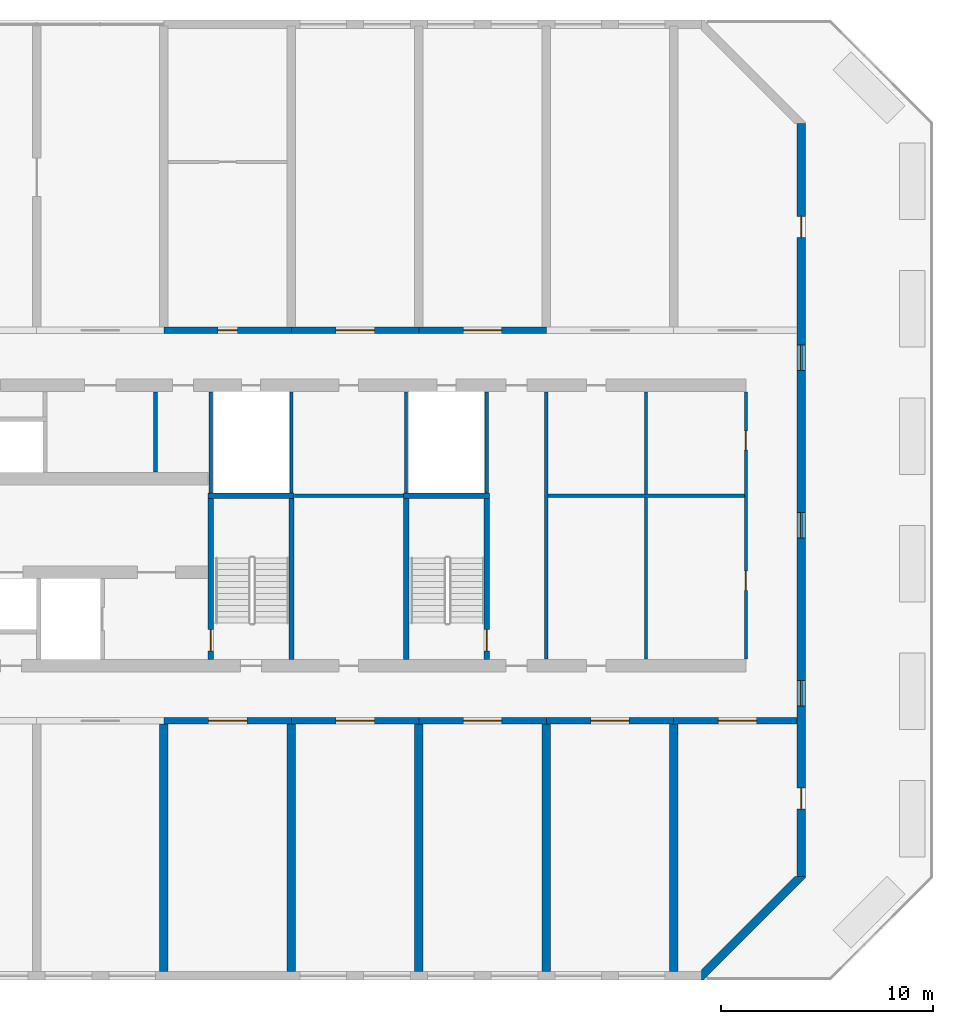
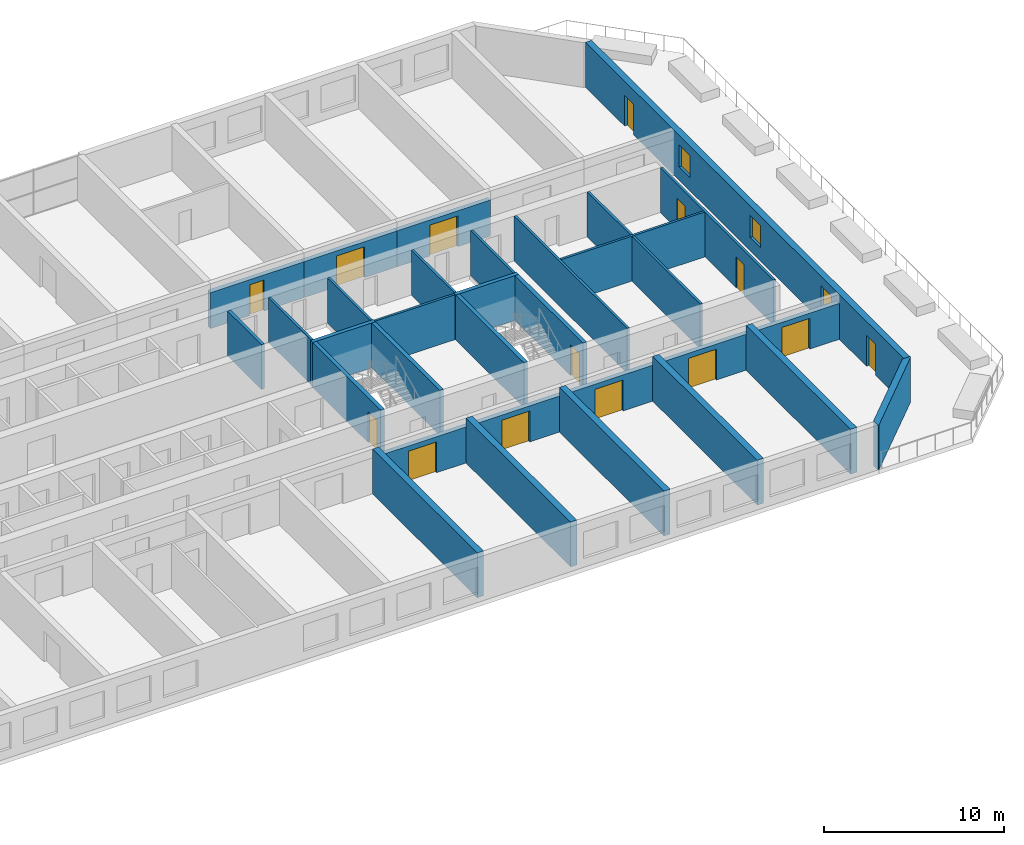
# One storey, part 15 of 21: 31 walls, 14 doors, 3 windows, 17 openings.
"""IFC4 building model written with IfcOpenShell, lengths in metres."""

from ifc_helpers import new_model, si_unit, direction, frame, frame_2d, origin, place, context, subcontext, project, spatial, polyline, rectangle, outline, extrude, material, layer, layer_set, type_object, element, fill, save


model = new_model("IFC4")

# Units and contexts
model_context = context("Model", 3, precision=1e-05, world=origin(), true_north=direction((0.0, 1.0)))
body_context = subcontext(model_context, "Body", "Model", "MODEL_VIEW")
ifc_project = project(units=[si_unit("LENGTHUNIT", "METRE"), si_unit("AREAUNIT", "SQUARE_METRE"), si_unit("VOLUMEUNIT", "CUBIC_METRE"), si_unit("PLANEANGLEUNIT", "RADIAN"), si_unit("MASSUNIT", "GRAM", prefix="KILO")], contexts=[model_context])

# Site, building, storey
site_placement = place(None, origin())
site = spatial("IfcSite", under=ifc_project, at=site_placement, CompositionType="ELEMENT")
building_placement = place(site_placement, origin())
building = spatial("IfcBuilding", under=site, at=building_placement, Name="Poui Terraces", CompositionType="ELEMENT")
storey_placement = place(building_placement, frame((0.0, 0.0, 53.10009765625)))
storey = spatial("IfcBuildingStorey", under=building, at=storey_placement, Name="L14", CompositionType="ELEMENT", Elevation=53.10009765625)

# Wall
ifc_material_1 = material(Name="Fire-rated plasterboard wall")
ifc_layer_1 = layer(ifc_material_1, 0.14990234375)
ifc_layer_set_1 = layer_set([ifc_layer_1], Name="Fire-rated plasterboard wall")
wall_type_1 = type_object("IfcWallType", Name="CORRIDOR WALL 150", PredefinedType="PARTITIONING", material=ifc_layer_set_1)
wall_1_placement = place(storey_placement, frame((84.0, 14.909912109375, 0.0), z_axis=(0.0, 0.0, 1.0), x_axis=(0.0, 1.0, 0.0)))
element("IfcWall", 1, at=wall_1_placement, inside=storey, type_object=wall_type_1, Name="CORRIDOR WALL 150", PredefinedType="PARTITIONING", context=body_context, shape_type="SweptSolid", body=[
    extrude(rectangle(XDim=12.580078125, YDim=0.14990234375, at=frame_2d((6.2900390625, 0.0))), origin(), (0.0, 0.0, 1.0), 3.0498046875),
])

# Wall, openings, doors
wall_2_placement = place(storey_placement, frame((93.39990234375, 14.909912109375, 0.0), z_axis=(0.0, 0.0, 1.0), x_axis=(0.0, 1.0, 0.0)))
wall_2 = element("IfcWall", 2, at=wall_2_placement, inside=storey, type_object=wall_type_1, Name="CORRIDOR WALL 150", PredefinedType="PARTITIONING", context=body_context, shape_type="SweptSolid", body=[
    extrude(rectangle(XDim=12.580078125, YDim=0.14990234375, at=frame_2d((6.2900390625, 0.0))), origin(), (0.0, 0.0, 1.0), 3.0498046875),
])
opening_1_placement = place(wall_2_placement, frame((3.239990234375, 0.0, 0.0)))
opening_1 = element("IfcOpeningElement", 3, at=opening_1_placement, cuts=wall_2, Name="Opening D90", PredefinedType="OPENING", context=body_context, shape_type="SweptSolid", body=[
    extrude(rectangle(XDim=0.89990234375, YDim=2.10009765625, at=frame_2d((0.449951171875, 1.050048828125))), frame((0.0, 0.0849609375, 0.0), z_axis=(0.0, -1.0, 0.0), x_axis=(1.0, 0.0, 0.0)), (0.0, 0.0, 1.0), 0.169921875),
])
opening_2_placement = place(wall_2_placement, frame((9.840087890625, 0.0, 0.0)))
opening_2 = element("IfcOpeningElement", 4, at=opening_2_placement, cuts=wall_2, Name="Opening D90", PredefinedType="OPENING", context=body_context, shape_type="SweptSolid", body=[
    extrude(rectangle(XDim=0.89990234375, YDim=2.10009765625, at=frame_2d((0.449951171875, 1.050048828125))), frame((0.0, 0.0849609375, 0.0), z_axis=(0.0, -1.0, 0.0), x_axis=(1.0, 0.0, 0.0)), (0.0, 0.0, 1.0), 0.169921875),
])
ifc_material_2 = material(Name="Solid core timber door", Category="wood")
door_type_1 = type_object("IfcDoorType", Name="INTERNAL DOOR 900 X 2100", OperationType="NOTDEFINED", PredefinedType="DOOR", material=ifc_material_2)
door_1_placement = place(opening_1_placement, frame((0.89990234375, 0.0, 0.0), z_axis=(0.0, 0.0, 1.0), x_axis=(-1.0, 0.0, 0.0)))
door_1 = element("IfcDoor", 5, at=door_1_placement, inside=storey, type_object=door_type_1, Name="INTERNAL DOOR 001", OperationType="SINGLE_SWING_RIGHT", OverallHeight=2.10009765625, OverallWidth=0.89990234375, PredefinedType="DOOR", context=body_context, shape_type="SweptSolid", body=[
    extrude(rectangle(XDim=0.89990234375, YDim=2.10009765625, at=frame_2d((0.449951171875, 1.050048828125))), frame((0.0, 0.02490234375, 0.0), z_axis=(0.0, -1.0, 0.0), x_axis=(1.0, 0.0, 0.0)), (0.0, 0.0, 1.0), 0.050048828125),
])
fill(opening_1, door_1)
door_2_placement = place(opening_2_placement, frame((0.89990234375, 0.0, 0.0), z_axis=(0.0, 0.0, 1.0), x_axis=(-1.0, 0.0, 0.0)))
door_2 = element("IfcDoor", 6, at=door_2_placement, inside=storey, type_object=door_type_1, Name="INTERNAL DOOR 002", OperationType="SINGLE_SWING_RIGHT", OverallHeight=2.10009765625, OverallWidth=0.89990234375, PredefinedType="DOOR", context=body_context, shape_type="SweptSolid", body=[
    extrude(rectangle(XDim=0.89990234375, YDim=2.10009765625, at=frame_2d((0.449951171875, 1.050048828125))), frame((0.0, 0.02490234375, 0.0), z_axis=(0.0, -1.0, 0.0), x_axis=(1.0, 0.0, 0.0)), (0.0, 0.0, 1.0), 0.050048828125),
])
fill(opening_2, door_2)

# Wall, opening, door
ifc_material_3 = material(Name="Concrete 80 MPa", Category="concrete")
ifc_layer_2 = layer(ifc_material_3, 0.300048828125)
ifc_layer_set_2 = layer_set([ifc_layer_2], Name="Concrete 80 MPa")
wall_type_2 = type_object("IfcWallType", Name="CORRIDOR WALL 300 80MPa", PredefinedType="SHEAR", material=ifc_layer_set_2)
wall_3_placement = place(storey_placement, frame((66.0, 12.0, 0.0), z_axis=(0.0, 0.0, 1.0), x_axis=(1.0, 0.0, 0.0)))
wall_3 = element("IfcWall", 7, at=wall_3_placement, inside=storey, type_object=wall_type_2, Name="CORRIDOR WALL LINE B BAY 11", PredefinedType="SHEAR", context=body_context, shape_type="SweptSolid", body=[
    extrude(rectangle(XDim=6.0, YDim=0.300048828125, at=frame_2d((3.0, 0.0))), origin(), (0.0, 0.0, 1.0), 2.449951171875),
])
opening_3_placement = place(wall_3_placement, frame((2.10009765625, 0.0, 0.0)))
opening_3 = element("IfcOpeningElement", 8, at=opening_3_placement, cuts=wall_3, Name="Opening DD180", PredefinedType="OPENING", context=body_context, shape_type="SweptSolid", body=[
    extrude(rectangle(XDim=1.800048828125, YDim=2.10009765625, at=frame_2d((0.89990234375, 1.050048828125))), frame((0.0, 0.16015625, 0.0), z_axis=(0.0, -1.0, 0.0), x_axis=(1.0, 0.0, 0.0)), (0.0, 0.0, 1.0), 0.320068359375),
])
ifc_material_4 = material(Name="Steel fire door", Category="steel")
door_type_2 = type_object("IfcDoorType", Name="DOUBLE INTERNAL DOOR 1800 X 2100", OperationType="DOUBLE_DOOR_SINGLE_SWING", PredefinedType="DOOR", material=ifc_material_4)
door_3_placement = place(opening_3_placement, origin())
door_3 = element("IfcDoor", 9, at=door_3_placement, inside=storey, type_object=door_type_2, Name="DOUBLE INTERNAL DOOR 055", OperationType="DOUBLE_DOOR_SINGLE_SWING", OverallHeight=2.10009765625, OverallWidth=1.800048828125, PredefinedType="DOOR", context=body_context, shape_type="SweptSolid", body=[
    extrude(rectangle(XDim=1.800048828125, YDim=2.10009765625, at=frame_2d((0.89990234375, 1.050048828125))), frame((0.0, 0.02490234375, 0.0), z_axis=(0.0, -1.0, 0.0), x_axis=(1.0, 0.0, 0.0)), (0.0, 0.0, 1.0), 0.050048828125),
])
fill(opening_3, door_3)

wall_4_placement = place(storey_placement, frame((72.0, 12.0, 0.0), z_axis=(0.0, 0.0, 1.0), x_axis=(1.0, 0.0, 0.0)))
wall_4 = element("IfcWall", 10, at=wall_4_placement, inside=storey, type_object=wall_type_2, Name="CORRIDOR WALL LINE B BAY 12", PredefinedType="SHEAR", context=body_context, shape_type="SweptSolid", body=[
    extrude(rectangle(XDim=6.0, YDim=0.300048828125, at=frame_2d((3.0, 0.0))), origin(), (0.0, 0.0, 1.0), 2.449951171875),
])
opening_4_placement = place(wall_4_placement, frame((2.10009765625, 0.0, 0.0)))
opening_4 = element("IfcOpeningElement", 11, at=opening_4_placement, cuts=wall_4, Name="Opening DD180", PredefinedType="OPENING", context=body_context, shape_type="SweptSolid", body=[
    extrude(rectangle(XDim=1.800048828125, YDim=2.10009765625, at=frame_2d((0.89990234375, 1.050048828125))), frame((0.0, 0.16015625, 0.0), z_axis=(0.0, -1.0, 0.0), x_axis=(1.0, 0.0, 0.0)), (0.0, 0.0, 1.0), 0.320068359375),
])
door_4_placement = place(opening_4_placement, origin())
door_4 = element("IfcDoor", 12, at=door_4_placement, inside=storey, type_object=door_type_2, Name="DOUBLE INTERNAL DOOR 058", OperationType="DOUBLE_DOOR_SINGLE_SWING", OverallHeight=2.10009765625, OverallWidth=1.800048828125, PredefinedType="DOOR", context=body_context, shape_type="SweptSolid", body=[
    extrude(rectangle(XDim=1.800048828125, YDim=2.10009765625, at=frame_2d((0.89990234375, 1.050048828125))), frame((0.0, 0.02490234375, 0.0), z_axis=(0.0, -1.0, 0.0), x_axis=(1.0, 0.0, 0.0)), (0.0, 0.0, 1.0), 0.050048828125),
])
fill(opening_4, door_4)

wall_5_placement = place(storey_placement, frame((78.0, 12.0, 0.0), z_axis=(0.0, 0.0, 1.0), x_axis=(1.0, 0.0, 0.0)))
wall_5 = element("IfcWall", 13, at=wall_5_placement, inside=storey, type_object=wall_type_2, Name="CORRIDOR WALL LINE B BAY 13", PredefinedType="SHEAR", context=body_context, shape_type="SweptSolid", body=[
    extrude(rectangle(XDim=6.0, YDim=0.300048828125, at=frame_2d((3.0, 0.0))), origin(), (0.0, 0.0, 1.0), 2.449951171875),
])
opening_5_placement = place(wall_5_placement, frame((2.10009765625, 0.0, 0.0)))
opening_5 = element("IfcOpeningElement", 14, at=opening_5_placement, cuts=wall_5, Name="Opening DD180", PredefinedType="OPENING", context=body_context, shape_type="SweptSolid", body=[
    extrude(rectangle(XDim=1.800048828125, YDim=2.10009765625, at=frame_2d((0.89990234375, 1.050048828125))), frame((0.0, 0.16015625, 0.0), z_axis=(0.0, -1.0, 0.0), x_axis=(1.0, 0.0, 0.0)), (0.0, 0.0, 1.0), 0.320068359375),
])
door_5_placement = place(opening_5_placement, origin())
door_5 = element("IfcDoor", 15, at=door_5_placement, inside=storey, type_object=door_type_2, Name="DOUBLE INTERNAL DOOR 059", OperationType="DOUBLE_DOOR_SINGLE_SWING", OverallHeight=2.10009765625, OverallWidth=1.800048828125, PredefinedType="DOOR", context=body_context, shape_type="SweptSolid", body=[
    extrude(rectangle(XDim=1.800048828125, YDim=2.10009765625, at=frame_2d((0.89990234375, 1.050048828125))), frame((0.0, 0.02490234375, 0.0), z_axis=(0.0, -1.0, 0.0), x_axis=(1.0, 0.0, 0.0)), (0.0, 0.0, 1.0), 0.050048828125),
])
fill(opening_5, door_5)

wall_6_placement = place(storey_placement, frame((84.0, 12.0, 0.0), z_axis=(0.0, 0.0, 1.0), x_axis=(1.0, 0.0, 0.0)))
wall_6 = element("IfcWall", 16, at=wall_6_placement, inside=storey, type_object=wall_type_2, Name="CORRIDOR WALL LINE B BAY 14", PredefinedType="SHEAR", context=body_context, shape_type="SweptSolid", body=[
    extrude(rectangle(XDim=6.0, YDim=0.300048828125, at=frame_2d((3.0, 0.0))), origin(), (0.0, 0.0, 1.0), 2.449951171875),
])
opening_6_placement = place(wall_6_placement, frame((2.10009765625, 0.0, 0.0)))
opening_6 = element("IfcOpeningElement", 17, at=opening_6_placement, cuts=wall_6, Name="Opening DD180", PredefinedType="OPENING", context=body_context, shape_type="SweptSolid", body=[
    extrude(rectangle(XDim=1.800048828125, YDim=2.10009765625, at=frame_2d((0.89990234375, 1.050048828125))), frame((0.0, 0.16015625, 0.0), z_axis=(0.0, -1.0, 0.0), x_axis=(1.0, 0.0, 0.0)), (0.0, 0.0, 1.0), 0.320068359375),
])
door_6_placement = place(opening_6_placement, origin())
door_6 = element("IfcDoor", 18, at=door_6_placement, inside=storey, type_object=door_type_2, Name="DOUBLE INTERNAL DOOR 062", OperationType="DOUBLE_DOOR_SINGLE_SWING", OverallHeight=2.10009765625, OverallWidth=1.800048828125, PredefinedType="DOOR", context=body_context, shape_type="SweptSolid", body=[
    extrude(rectangle(XDim=1.800048828125, YDim=2.10009765625, at=frame_2d((0.89990234375, 1.050048828125))), frame((0.0, 0.02490234375, 0.0), z_axis=(0.0, -1.0, 0.0), x_axis=(1.0, 0.0, 0.0)), (0.0, 0.0, 1.0), 0.050048828125),
])
fill(opening_6, door_6)

wall_7_placement = place(storey_placement, frame((90.0, 12.0, 0.0), z_axis=(0.0, 0.0, 1.0), x_axis=(1.0, 0.0, 0.0)))
wall_7 = element("IfcWall", 19, at=wall_7_placement, inside=storey, type_object=wall_type_2, Name="CORRIDOR WALL LINE B BAY 15", PredefinedType="SHEAR", context=body_context, shape_type="SweptSolid", body=[
    extrude(rectangle(XDim=5.800048828125, YDim=0.300048828125, at=frame_2d((2.89990234375, 0.0))), origin(), (0.0, 0.0, 1.0), 2.449951171875),
])
opening_7_placement = place(wall_7_placement, frame((2.10009765625, 0.0, 0.0)))
opening_7 = element("IfcOpeningElement", 20, at=opening_7_placement, cuts=wall_7, Name="Opening DD180", PredefinedType="OPENING", context=body_context, shape_type="SweptSolid", body=[
    extrude(rectangle(XDim=1.800048828125, YDim=2.10009765625, at=frame_2d((0.89990234375, 1.050048828125))), frame((0.0, 0.16015625, 0.0), z_axis=(0.0, -1.0, 0.0), x_axis=(1.0, 0.0, 0.0)), (0.0, 0.0, 1.0), 0.320068359375),
])
door_7_placement = place(opening_7_placement, origin())
door_7 = element("IfcDoor", 21, at=door_7_placement, inside=storey, type_object=door_type_2, Name="DOUBLE INTERNAL DOOR 063", OperationType="DOUBLE_DOOR_SINGLE_SWING", OverallHeight=2.10009765625, OverallWidth=1.800048828125, PredefinedType="DOOR", context=body_context, shape_type="SweptSolid", body=[
    extrude(rectangle(XDim=1.800048828125, YDim=2.10009765625, at=frame_2d((0.89990234375, 1.050048828125))), frame((0.0, 0.02490234375, 0.0), z_axis=(0.0, -1.0, 0.0), x_axis=(1.0, 0.0, 0.0)), (0.0, 0.0, 1.0), 0.050048828125),
])
fill(opening_7, door_7)

wall_8_placement = place(storey_placement, frame((66.0, 30.39990234375, 0.0), z_axis=(0.0, 0.0, 1.0), x_axis=(1.0, 0.0, 0.0)))
wall_8 = element("IfcWall", 22, at=wall_8_placement, inside=storey, type_object=wall_type_2, Name="CORRIDOR WALL LINE E BAY 11", PredefinedType="SHEAR", context=body_context, shape_type="SweptSolid", body=[
    extrude(rectangle(XDim=6.0, YDim=0.300048828125, at=frame_2d((3.0, 0.0))), origin(), (0.0, 0.0, 1.0), 2.449951171875),
])
opening_8_placement = place(wall_8_placement, frame((2.550048828125, 0.0, 0.0)))
opening_8 = element("IfcOpeningElement", 23, at=opening_8_placement, cuts=wall_8, Name="Opening D90", PredefinedType="OPENING", context=body_context, shape_type="SweptSolid", body=[
    extrude(rectangle(XDim=0.89990234375, YDim=2.10009765625, at=frame_2d((0.449951171875, 1.050048828125))), frame((0.0, 0.16015625, 0.0), z_axis=(0.0, -1.0, 0.0), x_axis=(1.0, 0.0, 0.0)), (0.0, 0.0, 1.0), 0.320068359375),
])
door_8_placement = place(opening_8_placement, frame((0.89990234375, 0.0, 0.0), z_axis=(0.0, 0.0, 1.0), x_axis=(-1.0, 0.0, 0.0)))
door_8 = element("IfcDoor", 24, at=door_8_placement, inside=storey, type_object=door_type_1, Name="INTERNAL DOOR 026", OperationType="SINGLE_SWING_RIGHT", OverallHeight=2.10009765625, OverallWidth=0.89990234375, PredefinedType="DOOR", context=body_context, shape_type="SweptSolid", body=[
    extrude(rectangle(XDim=0.89990234375, YDim=2.10009765625, at=frame_2d((0.449951171875, 1.050048828125))), frame((0.0, 0.02490234375, 0.0), z_axis=(0.0, -1.0, 0.0), x_axis=(1.0, 0.0, 0.0)), (0.0, 0.0, 1.0), 0.050048828125),
])
fill(opening_8, door_8)

wall_9_placement = place(storey_placement, frame((72.0, 30.39990234375, 0.0), z_axis=(0.0, 0.0, 1.0), x_axis=(1.0, 0.0, 0.0)))
wall_9 = element("IfcWall", 25, at=wall_9_placement, inside=storey, type_object=wall_type_2, Name="CORRIDOR WALL LINE E BAY 12", PredefinedType="SHEAR", context=body_context, shape_type="SweptSolid", body=[
    extrude(rectangle(XDim=6.0, YDim=0.300048828125, at=frame_2d((3.0, 0.0))), origin(), (0.0, 0.0, 1.0), 2.449951171875),
])
opening_9_placement = place(wall_9_placement, frame((2.10009765625, 0.0, 0.0)))
opening_9 = element("IfcOpeningElement", 26, at=opening_9_placement, cuts=wall_9, Name="Opening DD180", PredefinedType="OPENING", context=body_context, shape_type="SweptSolid", body=[
    extrude(rectangle(XDim=1.800048828125, YDim=2.10009765625, at=frame_2d((0.89990234375, 1.050048828125))), frame((0.0, 0.16015625, 0.0), z_axis=(0.0, -1.0, 0.0), x_axis=(1.0, 0.0, 0.0)), (0.0, 0.0, 1.0), 0.320068359375),
])
door_9_placement = place(opening_9_placement, frame((1.800048828125, 0.0, 0.0), z_axis=(0.0, 0.0, 1.0), x_axis=(-1.0, 0.0, 0.0)))
door_9 = element("IfcDoor", 27, at=door_9_placement, inside=storey, type_object=door_type_2, Name="DOUBLE INTERNAL DOOR 029", OperationType="DOUBLE_DOOR_SINGLE_SWING", OverallHeight=2.10009765625, OverallWidth=1.800048828125, PredefinedType="DOOR", context=body_context, shape_type="SweptSolid", body=[
    extrude(rectangle(XDim=1.800048828125, YDim=2.10009765625, at=frame_2d((0.89990234375, 1.050048828125))), frame((0.0, 0.02490234375, 0.0), z_axis=(0.0, -1.0, 0.0), x_axis=(1.0, 0.0, 0.0)), (0.0, 0.0, 1.0), 0.050048828125),
])
fill(opening_9, door_9)

wall_10_placement = place(storey_placement, frame((78.0, 30.39990234375, 0.0), z_axis=(0.0, 0.0, 1.0), x_axis=(1.0, 0.0, 0.0)))
wall_10 = element("IfcWall", 28, at=wall_10_placement, inside=storey, type_object=wall_type_2, Name="CORRIDOR WALL LINE E BAY 13", PredefinedType="SHEAR", context=body_context, shape_type="SweptSolid", body=[
    extrude(rectangle(XDim=6.0, YDim=0.300048828125, at=frame_2d((3.0, 0.0))), origin(), (0.0, 0.0, 1.0), 2.449951171875),
])
opening_10_placement = place(wall_10_placement, frame((2.10009765625, 0.0, 0.0)))
opening_10 = element("IfcOpeningElement", 29, at=opening_10_placement, cuts=wall_10, Name="Opening DD180", PredefinedType="OPENING", context=body_context, shape_type="SweptSolid", body=[
    extrude(rectangle(XDim=1.800048828125, YDim=2.10009765625, at=frame_2d((0.89990234375, 1.050048828125))), frame((0.0, 0.16015625, 0.0), z_axis=(0.0, -1.0, 0.0), x_axis=(1.0, 0.0, 0.0)), (0.0, 0.0, 1.0), 0.320068359375),
])
door_10_placement = place(opening_10_placement, frame((1.800048828125, 0.0, 0.0), z_axis=(0.0, 0.0, 1.0), x_axis=(-1.0, 0.0, 0.0)))
door_10 = element("IfcDoor", 30, at=door_10_placement, inside=storey, type_object=door_type_2, Name="DOUBLE INTERNAL DOOR 031", OperationType="DOUBLE_DOOR_SINGLE_SWING", OverallHeight=2.10009765625, OverallWidth=1.800048828125, PredefinedType="DOOR", context=body_context, shape_type="SweptSolid", body=[
    extrude(rectangle(XDim=1.800048828125, YDim=2.10009765625, at=frame_2d((0.89990234375, 1.050048828125))), frame((0.0, 0.02490234375, 0.0), z_axis=(0.0, -1.0, 0.0), x_axis=(1.0, 0.0, 0.0)), (0.0, 0.0, 1.0), 0.050048828125),
])
fill(opening_10, door_10)

# Walls
ifc_layer_3 = layer(ifc_material_3, 0.39990234375)
ifc_layer_set_3 = layer_set([ifc_layer_3], Name="Concrete 80 MPa")
wall_type_3 = type_object("IfcWallType", Name="CROSS WALL 400 80MPa", PredefinedType="SHEAR", material=ifc_layer_set_3)
for number, where, z_axis, x_axis, name in (
    (31, (66.0, 0.199951171875, 0.0), (0.0, 0.0, 1.0), (0.0, 1.0, 0.0), "CROSS WALL LINE 12 SOUTH"),
    (32, (72.0, 0.199951171875, 0.0), (0.0, 0.0, 1.0), (0.0, 1.0, 0.0), "CROSS WALL LINE 13 SOUTH"),
    (33, (78.0, 0.199951171875, 0.0), (0.0, 0.0, 1.0), (0.0, 1.0, 0.0), "CROSS WALL LINE 14 SOUTH"),
    (34, (84.0, 0.199951171875, 0.0), (0.0, 0.0, 1.0), (0.0, 1.0, 0.0), "CROSS WALL LINE 15 SOUTH"),
    (35, (90.0, 0.199951171875, 0.0), (0.0, 0.0, 1.0), (0.0, 1.0, 0.0), "CROSS WALL LINE 16 SOUTH"),
):
    element("IfcWall", number, at=place(storey_placement, frame(where, z_axis=z_axis, x_axis=x_axis)), inside=storey, type_object=wall_type_3, Name=name, PredefinedType="SHEAR", context=body_context, shape_type="SweptSolid", body=[
        extrude(rectangle(XDim=11.650146484375, YDim=0.39990234375, at=frame_2d((5.8251953125, 0.0))), origin(), (0.0, 0.0, 1.0), 3.0498046875),
    ])

# Wall, openings, doors, windows
ifc_layer_4 = layer(ifc_material_3, 0.39990234375)
ifc_layer_set_4 = layer_set([ifc_layer_4], Name="Concrete 80 MPa")
wall_type_4 = type_object("IfcWallType", Name="END WALL 400 80MPa", PredefinedType="SHEAR", material=ifc_layer_set_4)
wall_11_placement = place(storey_placement, frame((96.0, 4.682861328125, 0.0), z_axis=(0.0, 0.0, 1.0), x_axis=(0.0, 1.0, 0.0)))
wall_11 = element("IfcWall", 36, at=wall_11_placement, inside=storey, type_object=wall_type_4, Name="END WALL EAST", PredefinedType="SHEAR", context=body_context, shape_type="SweptSolid", body=[
    extrude(rectangle(XDim=35.434326171875, YDim=0.39990234375, at=frame_2d((17.71728515625, 0.0))), origin(), (0.0, 0.0, 1.0), 3.0498046875),
])
opening_11_placement = place(wall_11_placement, frame((15.917236328125, 0.0, 0.89990234375)))
opening_11 = element("IfcOpeningElement", 37, at=opening_11_placement, cuts=wall_11, Name="Opening W2", PredefinedType="OPENING", context=body_context, shape_type="SweptSolid", body=[
    extrude(rectangle(XDim=1.199951171875, YDim=1.5, at=frame_2d((0.60009765625, 0.75))), frame((0.0, 0.2099609375, 0.0), z_axis=(0.0, -1.0, 0.0), x_axis=(1.0, 0.0, 0.0)), (0.0, 0.0, 1.0), 0.419921875),
])
opening_12_placement = place(wall_11_placement, frame((23.817138671875, 0.0, 0.89990234375)))
opening_12 = element("IfcOpeningElement", 38, at=opening_12_placement, cuts=wall_11, Name="Opening W2", PredefinedType="OPENING", context=body_context, shape_type="SweptSolid", body=[
    extrude(rectangle(XDim=1.199951171875, YDim=1.5, at=frame_2d((0.60009765625, 0.75))), frame((0.0, 0.2099609375, 0.0), z_axis=(0.0, -1.0, 0.0), x_axis=(1.0, 0.0, 0.0)), (0.0, 0.0, 1.0), 0.419921875),
])
opening_13_placement = place(wall_11_placement, frame((8.01708984375, 0.0, 0.89990234375)))
opening_13 = element("IfcOpeningElement", 39, at=opening_13_placement, cuts=wall_11, Name="Opening W2", PredefinedType="OPENING", context=body_context, shape_type="SweptSolid", body=[
    extrude(rectangle(XDim=1.199951171875, YDim=1.5, at=frame_2d((0.60009765625, 0.75))), frame((0.0, 0.2099609375, 0.0), z_axis=(0.0, -1.0, 0.0), x_axis=(1.0, 0.0, 0.0)), (0.0, 0.0, 1.0), 0.419921875),
])
opening_14_placement = place(wall_11_placement, frame((30.07568359375, 0.0, 0.0)))
opening_14 = element("IfcOpeningElement", 40, at=opening_14_placement, cuts=wall_11, Name="Opening XD100", PredefinedType="OPENING", context=body_context, shape_type="SweptSolid", body=[
    extrude(rectangle(XDim=1.0, YDim=2.10009765625, at=frame_2d((0.5, 1.050048828125))), frame((0.0, 0.2099609375, 0.0), z_axis=(0.0, -1.0, 0.0), x_axis=(1.0, 0.0, 0.0)), (0.0, 0.0, 1.0), 0.419921875),
])
opening_15_placement = place(wall_11_placement, frame((3.15869140625, 0.0, 0.0)))
opening_15 = element("IfcOpeningElement", 41, at=opening_15_placement, cuts=wall_11, Name="Opening XD100", PredefinedType="OPENING", context=body_context, shape_type="SweptSolid", body=[
    extrude(rectangle(XDim=1.0, YDim=2.10009765625, at=frame_2d((0.5, 1.050048828125))), frame((0.0, 0.2099609375, 0.0), z_axis=(0.0, -1.0, 0.0), x_axis=(1.0, 0.0, 0.0)), (0.0, 0.0, 1.0), 0.419921875),
])
ifc_material_5 = material(Name="Aluminium glazed door", Category="aluminium")
door_type_3 = type_object("IfcDoorType", Name="EXTERNAL DOOR 1000 X 2100", OperationType="NOTDEFINED", PredefinedType="DOOR", material=ifc_material_5)
door_11_placement = place(opening_14_placement, frame((1.0, 0.0, 0.0), z_axis=(0.0, 0.0, 1.0), x_axis=(-1.0, 0.0, 0.0)))
door_11 = element("IfcDoor", 42, at=door_11_placement, inside=storey, type_object=door_type_3, Name="EXTERNAL DOOR 074", OperationType="SINGLE_SWING_LEFT", OverallHeight=2.10009765625, OverallWidth=1.0, PredefinedType="DOOR", context=body_context, shape_type="SweptSolid", body=[
    extrude(rectangle(XDim=1.0, YDim=2.10009765625, at=frame_2d((0.5, 1.050048828125))), frame((0.0, 0.02490234375, 0.0), z_axis=(0.0, -1.0, 0.0), x_axis=(1.0, 0.0, 0.0)), (0.0, 0.0, 1.0), 0.050048828125),
])
fill(opening_14, door_11)
door_12_placement = place(opening_15_placement, frame((1.0, 0.0, 0.0), z_axis=(0.0, 0.0, 1.0), x_axis=(-1.0, 0.0, 0.0)))
door_12 = element("IfcDoor", 43, at=door_12_placement, inside=storey, type_object=door_type_3, Name="EXTERNAL DOOR 080", OperationType="SINGLE_SWING_LEFT", OverallHeight=2.10009765625, OverallWidth=1.0, PredefinedType="DOOR", context=body_context, shape_type="SweptSolid", body=[
    extrude(rectangle(XDim=1.0, YDim=2.10009765625, at=frame_2d((0.5, 1.050048828125))), frame((0.0, 0.02490234375, 0.0), z_axis=(0.0, -1.0, 0.0), x_axis=(1.0, 0.0, 0.0)), (0.0, 0.0, 1.0), 0.050048828125),
])
fill(opening_15, door_12)
ifc_material_6 = material(Name="Clear glass in aluminium frame", Category="aluminium")
window_type = type_object("IfcWindowType", Name="WINDOW 1200X1500", PartitioningType="SINGLE_PANEL", PredefinedType="WINDOW", material=ifc_material_6)
window_1_placement = place(opening_11_placement, origin())
window_1 = element("IfcWindow", 44, at=window_1_placement, inside=storey, type_object=window_type, Name="W2 WINDOW", OverallHeight=1.5, OverallWidth=1.199951171875, PartitioningType="SINGLE_PANEL", PredefinedType="WINDOW", context=body_context, shape_type="SweptSolid", body=[
    extrude(rectangle(XDim=1.199951171875, YDim=1.5, at=frame_2d((0.60009765625, 0.75))), frame((0.0, 0.030029296875, 0.0), z_axis=(0.0, -1.0, 0.0), x_axis=(1.0, 0.0, 0.0)), (0.0, 0.0, 1.0), 0.06005859375),
])
fill(opening_11, window_1)
window_2_placement = place(opening_12_placement, origin())
window_2 = element("IfcWindow", 45, at=window_2_placement, inside=storey, type_object=window_type, Name="W2 WINDOW", OverallHeight=1.5, OverallWidth=1.199951171875, PartitioningType="SINGLE_PANEL", PredefinedType="WINDOW", context=body_context, shape_type="SweptSolid", body=[
    extrude(rectangle(XDim=1.199951171875, YDim=1.5, at=frame_2d((0.60009765625, 0.75))), frame((0.0, 0.030029296875, 0.0), z_axis=(0.0, -1.0, 0.0), x_axis=(1.0, 0.0, 0.0)), (0.0, 0.0, 1.0), 0.06005859375),
])
fill(opening_12, window_2)
window_3_placement = place(opening_13_placement, origin())
window_3 = element("IfcWindow", 46, at=window_3_placement, inside=storey, type_object=window_type, Name="W2 WINDOW", OverallHeight=1.5, OverallWidth=1.199951171875, PartitioningType="SINGLE_PANEL", PredefinedType="WINDOW", context=body_context, shape_type="SweptSolid", body=[
    extrude(rectangle(XDim=1.199951171875, YDim=1.5, at=frame_2d((0.60009765625, 0.75))), frame((0.0, 0.030029296875, 0.0), z_axis=(0.0, -1.0, 0.0), x_axis=(1.0, 0.0, 0.0)), (0.0, 0.0, 1.0), 0.06005859375),
])
fill(opening_13, window_3)

# Walls
ifc_material_7 = material(Name="Plasterboard partition")
ifc_layer_5 = layer(ifc_material_7, 0.14990234375)
ifc_layer_set_5 = layer_set([ifc_layer_5], Name="Plasterboard partition")
wall_type_5 = type_object("IfcWallType", Name="PARTITION WALL 150", PredefinedType="PARTITIONING", material=ifc_layer_set_5)
wall_12_placement = place(storey_placement, frame((72.135009765625, 22.60009765625, 0.0), z_axis=(0.0, 0.0, 1.0), x_axis=(1.0, 0.0, 0.0)))
element("IfcWall", 47, at=wall_12_placement, inside=storey, type_object=wall_type_5, Name="PARTITION WALL 150", PredefinedType="PARTITIONING", context=body_context, shape_type="SweptSolid", body=[
    extrude(rectangle(XDim=5.1298828125, YDim=0.14990234375, at=frame_2d((2.56494140625, 0.0))), origin(), (0.0, 0.0, 1.0), 3.0498046875),
])
wall_13_placement = place(storey_placement, frame((84.074951171875, 22.60009765625, 0.0), z_axis=(0.0, 0.0, 1.0), x_axis=(1.0, 0.0, 0.0)))
element("IfcWall", 48, at=wall_13_placement, inside=storey, type_object=wall_type_5, Name="PARTITION WALL 150", PredefinedType="PARTITIONING", context=body_context, shape_type="SweptSolid", body=[
    extrude(rectangle(XDim=9.25, YDim=0.14990234375, at=frame_2d((4.625, 0.0))), origin(), (0.0, 0.0, 1.0), 3.0498046875),
])
wall_14_placement = place(storey_placement, frame((88.699951171875, 14.909912109375, 0.0), z_axis=(0.0, 0.0, 1.0), x_axis=(0.0, 1.0, 0.0)))
element("IfcWall", 49, at=wall_14_placement, inside=storey, type_object=wall_type_5, Name="PARTITION WALL 150", PredefinedType="PARTITIONING", context=body_context, shape_type="SweptSolid", body=[
    extrude(rectangle(XDim=12.580078125, YDim=0.14990234375, at=frame_2d((6.2900390625, 0.0))), origin(), (0.0, 0.0, 1.0), 3.0498046875),
])
ifc_material_8 = material(Name="Fire-rated masonry wall", Category="masonry")
ifc_layer_6 = layer(ifc_material_8, 0.199951171875)
ifc_layer_set_6 = layer_set([ifc_layer_6], Name="Fire-rated masonry wall")
wall_type_6 = type_object("IfcWallType", Name="PLANT ROOM WALL 200", PredefinedType="PARTITIONING", material=ifc_layer_set_6)
wall_15_placement = place(storey_placement, frame((65.60009765625, 23.7099609375, 0.0), z_axis=(0.0, 0.0, 1.0), x_axis=(0.0, 1.0, 0.0)))
element("IfcWall", 50, at=wall_15_placement, inside=storey, type_object=wall_type_6, Name="PLANT ROOM WALL 200", PredefinedType="PARTITIONING", context=body_context, shape_type="SweptSolid", body=[
    extrude(rectangle(XDim=3.780029296875, YDim=0.199951171875, at=frame_2d((1.89013671875, 0.0))), origin(), (0.0, 0.0, 1.0), 3.0498046875),
])
ifc_material_9 = material(Name="Fire-rated plasterboard riser wall")
ifc_layer_7 = layer(ifc_material_9, 0.14990234375)
ifc_layer_set_7 = layer_set([ifc_layer_7], Name="Fire-rated plasterboard riser wall")
wall_type_7 = type_object("IfcWallType", Name="RISER WALL 150", PredefinedType="PARTITIONING", material=ifc_layer_set_7)
for number, where, z_axis, x_axis, name in (
    (51, (68.199951171875, 22.735107421875, 0.0), (0.0, 0.0, 1.0), (0.0, 1.0, 0.0), "RISER WALL 150"),
    (52, (72.0, 22.735107421875, 0.0), (0.0, 0.0, 1.0), (0.0, 1.0, 0.0), "RISER WALL 150"),
    (53, (77.39990234375, 22.735107421875, 0.0), (0.0, 0.0, 1.0), (0.0, 1.0, 0.0), "RISER WALL 150"),
    (54, (81.199951171875, 22.735107421875, 0.0), (0.0, 0.0, 1.0), (0.0, 1.0, 0.0), "RISER WALL 150"),
):
    element("IfcWall", number, at=place(storey_placement, frame(where, z_axis=z_axis, x_axis=x_axis)), inside=storey, type_object=wall_type_7, Name=name, PredefinedType="PARTITIONING", context=body_context, shape_type="SweptSolid", body=[
        extrude(rectangle(XDim=4.7548828125, YDim=0.14990234375, at=frame_2d((2.37744140625, 0.0))), origin(), (0.0, 0.0, 1.0), 3.0498046875),
    ])

# Wall, opening, door
ifc_layer_8 = layer(ifc_material_3, 0.25)
ifc_layer_set_8 = layer_set([ifc_layer_8], Name="Concrete 80 MPa")
wall_type_8 = type_object("IfcWallType", Name="STAIR CORE WALL 250 80 MPA", PredefinedType="SOLIDWALL", material=ifc_layer_set_8)
wall_16_placement = place(storey_placement, frame((68.199951171875, 14.89990234375, 0.0), z_axis=(0.0, 0.0, 1.0), x_axis=(0.0, 1.0, 0.0)))
wall_16 = element("IfcWall", 55, at=wall_16_placement, inside=storey, type_object=wall_type_8, Name="STAIR CORE WALL", PredefinedType="SOLIDWALL", context=body_context, shape_type="SweptSolid", body=[
    extrude(rectangle(XDim=7.5751953125, YDim=0.25, at=frame_2d((3.78759765625, 0.0))), origin(), (0.0, 0.0, 1.0), 3.0498046875),
])
opening_16_placement = place(wall_16_placement, frame((0.39990234375, 0.0, 0.0)))
opening_16 = element("IfcOpeningElement", 56, at=opening_16_placement, cuts=wall_16, Name="Opening FD60S", PredefinedType="OPENING", context=body_context, shape_type="SweptSolid", body=[
    extrude(rectangle(XDim=1.0, YDim=2.10009765625, at=frame_2d((0.5, 1.050048828125))), frame((0.0, 0.135009765625, 0.0), z_axis=(0.0, -1.0, 0.0), x_axis=(1.0, 0.0, 0.0)), (0.0, 0.0, 1.0), 0.27001953125),
])
door_type_4 = type_object("IfcDoorType", Name="STAIR DOOR 1000 X 2100", OperationType="NOTDEFINED", PredefinedType="DOOR", material=ifc_material_4)
door_13_placement = place(opening_16_placement, frame((1.0, 0.0, 0.0), z_axis=(0.0, 0.0, 1.0), x_axis=(-1.0, 0.0, 0.0)))
door_13 = element("IfcDoor", 57, at=door_13_placement, inside=storey, type_object=door_type_4, Name="STAIR DOOR 082", OperationType="SINGLE_SWING_LEFT", OverallHeight=2.10009765625, OverallWidth=1.0, PredefinedType="DOOR", context=body_context, shape_type="SweptSolid", body=[
    extrude(rectangle(XDim=1.0, YDim=2.10009765625, at=frame_2d((0.5, 1.050048828125))), frame((0.0, 0.02490234375, 0.0), z_axis=(0.0, -1.0, 0.0), x_axis=(1.0, 0.0, 0.0)), (0.0, 0.0, 1.0), 0.050048828125),
])
fill(opening_16, door_13)

# Walls
wall_17_placement = place(storey_placement, frame((72.0, 14.89990234375, 0.0), z_axis=(0.0, 0.0, 1.0), x_axis=(0.0, 1.0, 0.0)))
element("IfcWall", 58, at=wall_17_placement, inside=storey, type_object=wall_type_8, Name="STAIR CORE WALL", PredefinedType="SOLIDWALL", context=body_context, shape_type="SweptSolid", body=[
    extrude(rectangle(XDim=7.5751953125, YDim=0.25, at=frame_2d((3.78759765625, 0.0))), origin(), (0.0, 0.0, 1.0), 3.0498046875),
])
wall_18_placement = place(storey_placement, frame((68.074951171875, 22.60009765625, 0.0), z_axis=(0.0, 0.0, 1.0), x_axis=(1.0, 0.0, 0.0)))
element("IfcWall", 59, at=wall_18_placement, inside=storey, type_object=wall_type_8, Name="STAIR CORE WALL", PredefinedType="SOLIDWALL", context=body_context, shape_type="SweptSolid", body=[
    extrude(rectangle(XDim=4.050048828125, YDim=0.25, at=frame_2d((2.02490234375, 0.0))), origin(), (0.0, 0.0, 1.0), 3.0498046875),
])
wall_19_placement = place(storey_placement, frame((77.39990234375, 14.89990234375, 0.0), z_axis=(0.0, 0.0, 1.0), x_axis=(0.0, 1.0, 0.0)))
element("IfcWall", 60, at=wall_19_placement, inside=storey, type_object=wall_type_8, Name="STAIR CORE WALL", PredefinedType="SOLIDWALL", context=body_context, shape_type="SweptSolid", body=[
    extrude(rectangle(XDim=7.5751953125, YDim=0.25, at=frame_2d((3.78759765625, 0.0))), origin(), (0.0, 0.0, 1.0), 3.0498046875),
])

# Wall, opening, door
wall_20_placement = place(storey_placement, frame((81.199951171875, 14.89990234375, 0.0), z_axis=(0.0, 0.0, 1.0), x_axis=(0.0, 1.0, 0.0)))
wall_20 = element("IfcWall", 61, at=wall_20_placement, inside=storey, type_object=wall_type_8, Name="STAIR CORE WALL", PredefinedType="SOLIDWALL", context=body_context, shape_type="SweptSolid", body=[
    extrude(rectangle(XDim=7.5751953125, YDim=0.25, at=frame_2d((3.78759765625, 0.0))), origin(), (0.0, 0.0, 1.0), 3.0498046875),
])
opening_17_placement = place(wall_20_placement, frame((0.39990234375, 0.0, 0.0)))
opening_17 = element("IfcOpeningElement", 62, at=opening_17_placement, cuts=wall_20, Name="Opening FD60S", PredefinedType="OPENING", context=body_context, shape_type="SweptSolid", body=[
    extrude(rectangle(XDim=1.0, YDim=2.10009765625, at=frame_2d((0.5, 1.050048828125))), frame((0.0, 0.135009765625, 0.0), z_axis=(0.0, -1.0, 0.0), x_axis=(1.0, 0.0, 0.0)), (0.0, 0.0, 1.0), 0.27001953125),
])
door_14_placement = place(opening_17_placement, origin())
door_14 = element("IfcDoor", 63, at=door_14_placement, inside=storey, type_object=door_type_4, Name="STAIR DOOR 096", OperationType="SINGLE_SWING_LEFT", OverallHeight=2.10009765625, OverallWidth=1.0, PredefinedType="DOOR", context=body_context, shape_type="SweptSolid", body=[
    extrude(rectangle(XDim=1.0, YDim=2.10009765625, at=frame_2d((0.5, 1.050048828125))), frame((0.0, 0.02490234375, 0.0), z_axis=(0.0, -1.0, 0.0), x_axis=(1.0, 0.0, 0.0)), (0.0, 0.0, 1.0), 0.050048828125),
])
fill(opening_17, door_14)

# Walls
wall_21_placement = place(storey_placement, frame((77.27490234375, 22.60009765625, 0.0), z_axis=(0.0, 0.0, 1.0), x_axis=(1.0, 0.0, 0.0)))
element("IfcWall", 64, at=wall_21_placement, inside=storey, type_object=wall_type_8, Name="STAIR CORE WALL", PredefinedType="SOLIDWALL", context=body_context, shape_type="SweptSolid", body=[
    extrude(rectangle(XDim=4.050048828125, YDim=0.25, at=frame_2d((2.02490234375, 0.0))), origin(), (0.0, 0.0, 1.0), 3.0498046875),
])
ifc_material_10 = material(Name="Precast concrete 40 MPa", Category="concrete")
ifc_layer_9 = layer(ifc_material_10, 0.39990234375)
ifc_layer_set_9 = layer_set([ifc_layer_9], Name="Precast concrete 40 MPa")
wall_type_9 = type_object("IfcWallType", Name="TERRACOTTA CLAD CHAMFER WALL 400", PredefinedType="STANDARD", material=ifc_layer_set_9)
wall_22_placement = place(storey_placement, origin())
element("IfcWall", 65, at=wall_22_placement, inside=storey, type_object=wall_type_9, Name="CHAMFER WALL CH01", PredefinedType="STANDARD", context=body_context, shape_type="SweptSolid", body=[
    extrude(outline(polyline([(91.317138671875, -0.199951171875), (91.39990234375, -0.199951171875), (96.199951171875, 4.60009765625), (96.199951171875, 4.682861328125), (95.71728515625, 4.682861328125), (91.317138671875, 0.28271484375), (91.317138671875, -0.199951171875)])), origin(), (0.0, 0.0, 1.0), 3.0498046875),
])

save(model, "model.ifc")
